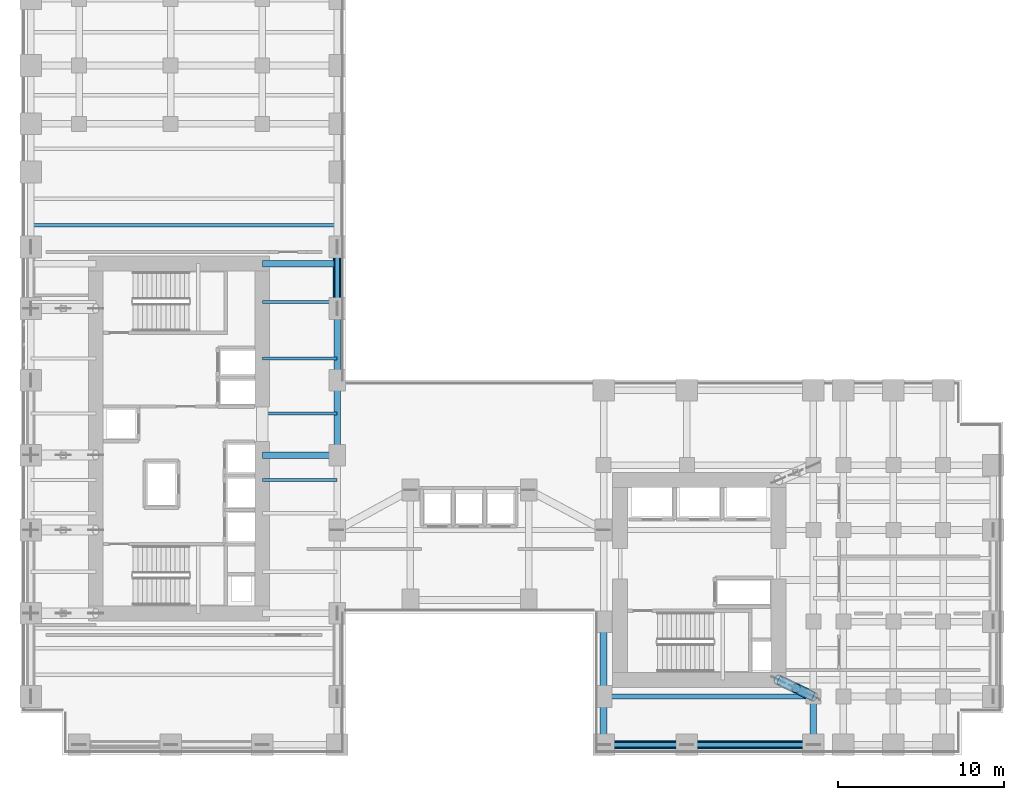
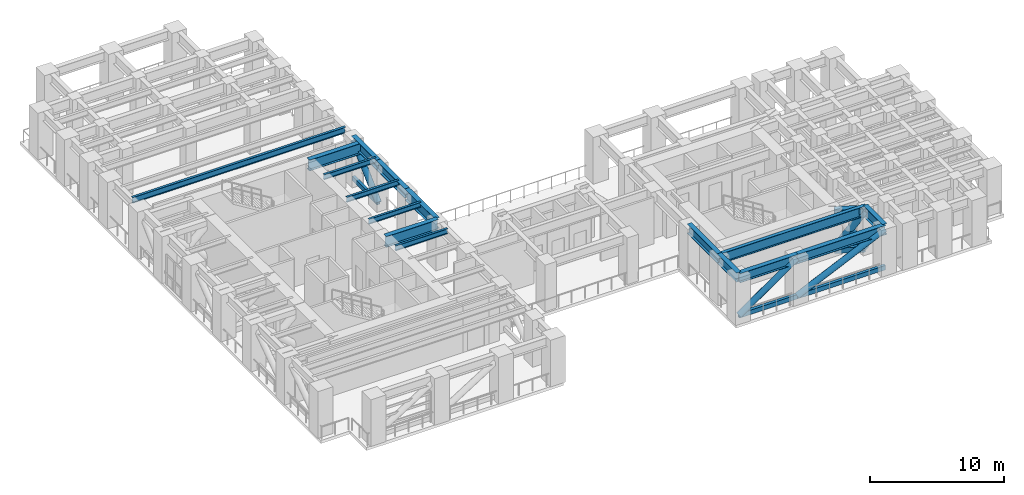
# One storey, part 5 of 16: 16 beams, 10 members.
"""IFC4 building model written with IfcOpenShell, lengths in metres."""

from ifc_helpers import new_model, si_unit, direction, frame, origin, origin_2d, place, context, subcontext, project, spatial, hollow_rectangle, hollow_circle, i_section, extrude, source, transform, mapped, material, material_profile, profile_set, type_object, element, save


model = new_model("IFC4")

# Units and contexts
model_context = context("Model", 3, precision=1e-05, world=origin(), true_north=direction((0.0, 1.0)))
body_context = subcontext(model_context, "Body", "Model", "MODEL_VIEW")
ifc_project = project(units=[si_unit("LENGTHUNIT", "METRE"), si_unit("AREAUNIT", "SQUARE_METRE"), si_unit("VOLUMEUNIT", "CUBIC_METRE"), si_unit("PLANEANGLEUNIT", "RADIAN"), si_unit("MASSUNIT", "GRAM", prefix="KILO")], contexts=[model_context])

# Site, building, storey
site_placement = place(None, origin())
site = spatial("IfcSite", under=ifc_project, at=site_placement, CompositionType="ELEMENT")
building_placement = place(site_placement, origin())
building = spatial("IfcBuilding", under=site, at=building_placement, Name="Kharzan Plaza Tower", CompositionType="ELEMENT")
storey_placement = place(building_placement, frame((0.0, 0.0, 72.89990234375)))
storey = spatial("IfcBuildingStorey", under=building, at=storey_placement, Name="L19", CompositionType="ELEMENT", Elevation=72.89990234375)

# Beams
ifc_material = material(Name="Steel S355", Category="steel")
ifc_material_profile_1 = material_profile(ifc_material, i_section(OverallWidth=0.304931640625, OverallDepth=0.9189453125, WebThickness=0.017333984375, FlangeThickness=0.02783203125, at=origin_2d()), Name="W920x253")
ifc_profile_set_1 = profile_set([ifc_material_profile_1], Name="Steel S355")
beam_type_1 = type_object("IfcBeamType", Name="BM-FG920B", PredefinedType="BEAM", material=ifc_profile_set_1)
shared_shape_1 = source(origin(), body_context, "Body", "SweptSolid", [
    extrude(i_section(OverallWidth=0.304931640625, OverallDepth=0.9189453125, WebThickness=0.017333984375, FlangeThickness=0.02783203125, at=origin_2d()), origin(), (0.0, 0.0, 1.0), 12.60009765625),
])
beam_1_placement = place(storey_placement, frame((35.0, 3.5, 3.800537109375), z_axis=(1.0, 0.0, 0.0), x_axis=(0.0, 1.0, 0.0)))
element("IfcBeam", 1, at=beam_1_placement, inside=storey, type_object=beam_type_1, Name="L19 Primary Floor Girder", PredefinedType="BEAM", context=body_context, shape_type="MappedRepresentation", body=[
    mapped(shared_shape_1, transform((0.0, 0.0, 0.0), x_axis=(1.0, 0.0, 0.0), y_axis=(0.0, 1.0, 0.0), z_axis=(0.0, 0.0, 1.0))),
])
ifc_material_profile_2 = material_profile(ifc_material, i_section(OverallWidth=0.2099609375, OverallDepth=0.537109375, WebThickness=0.010986328125, FlangeThickness=0.017333984375, at=origin_2d()), Name="W530x101")
ifc_profile_set_2 = profile_set([ifc_material_profile_2], Name="Steel S355")
beam_type_2 = type_object("IfcBeamType", Name="BM-JST530B", PredefinedType="JOIST", material=ifc_profile_set_2)
shared_shape_2 = source(origin(), body_context, "Body", "SweptSolid", [
    extrude(i_section(OverallWidth=0.2099609375, OverallDepth=0.537109375, WebThickness=0.010986328125, FlangeThickness=0.017333984375, at=origin_2d()), origin(), (0.0, 0.0, 1.0), 18.39990234375),
])
beam_2_placement = place(storey_placement, frame((0.60009765625, 31.800048828125, 3.99169921875), z_axis=(1.0, 0.0, 0.0), x_axis=(0.0, 1.0, 0.0)))
element("IfcBeam", 2, at=beam_2_placement, inside=storey, type_object=beam_type_2, Name="L19 Wing A Composite Joist 04", PredefinedType="JOIST", context=body_context, shape_type="MappedRepresentation", body=[
    mapped(shared_shape_2, transform((0.0, 0.0, 0.0), x_axis=(1.0, 0.0, 0.0), y_axis=(0.0, 1.0, 0.0), z_axis=(0.0, 0.0, 1.0))),
])
ifc_material_profile_3 = material_profile(ifc_material, i_section(OverallWidth=0.194091796875, OverallDepth=0.468994140625, WebThickness=0.011474609375, FlangeThickness=0.0205078125, at=origin_2d()), Name="W460x106")
ifc_profile_set_3 = profile_set([ifc_material_profile_3], Name="Steel S355")
beam_type_3 = type_object("IfcBeamType", Name="BM-JST460", PredefinedType="JOIST", material=ifc_profile_set_3)
shared_shape_3 = source(origin(), body_context, "Body", "SweptSolid", [
    extrude(i_section(OverallWidth=0.194091796875, OverallDepth=0.468994140625, WebThickness=0.011474609375, FlangeThickness=0.0205078125, at=origin_2d()), origin(), (0.0, 0.0, 1.0), 4.5),
])
for number, where, z_axis, x_axis, name in (
    (3, (14.5, 16.5, 4.025634765625), (1.0, 0.0, 0.0), (0.0, 1.0, 0.0), "L19 Wing A East Infill Joist 3"),
    (4, (14.5, 20.5, 4.025634765625), (1.0, 0.0, 0.0), (0.0, 1.0, 0.0), "L19 Wing A East Infill Joist 4"),
    (5, (14.5, 23.800048828125, 4.025634765625), (1.0, 0.0, 0.0), (0.0, 1.0, 0.0), "L19 Wing A East Infill Joist 5"),
    (6, (14.5, 27.199951171875, 4.025634765625), (1.0, 0.0, 0.0), (0.0, 1.0, 0.0), "L19 Wing A East Infill Joist 6"),
):
    element("IfcBeam", number, at=place(storey_placement, frame(where, z_axis=z_axis, x_axis=x_axis)), inside=storey, type_object=beam_type_3, Name=name, PredefinedType="JOIST", context=body_context, shape_type="MappedRepresentation", body=[
        mapped(shared_shape_3, transform((0.0, 0.0, 0.0), x_axis=(1.0, 0.0, 0.0), y_axis=(0.0, 1.0, 0.0), z_axis=(0.0, 0.0, 1.0))),
    ])
ifc_material_profile_4 = material_profile(ifc_material, i_section(OverallWidth=0.40087890625, OverallDepth=0.85498046875, WebThickness=0.018310546875, FlangeThickness=0.029296875, at=origin_2d()), Name="W840x299")
ifc_profile_set_4 = profile_set([ifc_material_profile_4], Name="Steel S355")
beam_type_4 = type_object("IfcBeamType", Name="BM-SP840A", PredefinedType="SPANDREL", material=ifc_profile_set_4)
shared_shape_4 = source(origin(), body_context, "Body", "SweptSolid", [
    extrude(i_section(OverallWidth=0.40087890625, OverallDepth=0.85498046875, WebThickness=0.018310546875, FlangeThickness=0.029296875, at=origin_2d()), origin(), (0.0, 0.0, 1.0), 5.0),
])
beam_3_placement = place(storey_placement, frame((35.0, 0.60009765625, 3.83251953125), z_axis=(1.0, 0.0, 0.0), x_axis=(0.0, 1.0, 0.0)))
element("IfcBeam", 7, at=beam_3_placement, inside=storey, type_object=beam_type_4, Name="L19 Perimeter Tube Spandrel", PredefinedType="SPANDREL", context=body_context, shape_type="MappedRepresentation", body=[
    mapped(shared_shape_4, transform((0.0, 0.0, 0.0), x_axis=(1.0, 0.0, 0.0), y_axis=(0.0, 1.0, 0.0), z_axis=(0.0, 0.0, 1.0))),
])
shared_shape_5 = source(origin(), body_context, "Body", "SweptSolid", [
    extrude(i_section(OverallWidth=0.40087890625, OverallDepth=0.85498046875, WebThickness=0.018310546875, FlangeThickness=0.029296875, at=origin_2d()), origin(), (0.0, 0.0, 1.0), 4.5),
])
beam_4_placement = place(storey_placement, frame((35.0, 3.5, 3.83251953125), z_axis=(0.0, 1.0, 0.0), x_axis=(-1.0, 0.0, 0.0)))
element("IfcBeam", 8, at=beam_4_placement, inside=storey, type_object=beam_type_4, Name="L19 Perimeter Tube Spandrel", PredefinedType="SPANDREL", context=body_context, shape_type="MappedRepresentation", body=[
    mapped(shared_shape_5, transform((0.0, 0.0, 0.0), x_axis=(1.0, 0.0, 0.0), y_axis=(0.0, 1.0, 0.0), z_axis=(0.0, 0.0, 1.0))),
])
shared_shape_6 = source(origin(), body_context, "Body", "SweptSolid", [
    extrude(i_section(OverallWidth=0.40087890625, OverallDepth=0.85498046875, WebThickness=0.018310546875, FlangeThickness=0.029296875, at=origin_2d()), origin(), (0.0, 0.0, 1.0), 4.300048828125),
])
beam_5_placement = place(storey_placement, frame((19.0, 22.5, 3.83251953125), z_axis=(0.0, 1.0, 0.0), x_axis=(-1.0, 0.0, 0.0)))
element("IfcBeam", 9, at=beam_5_placement, inside=storey, type_object=beam_type_4, Name="L19 Perimeter Tube Spandrel", PredefinedType="SPANDREL", context=body_context, shape_type="MappedRepresentation", body=[
    mapped(shared_shape_6, transform((0.0, 0.0, 0.0), x_axis=(1.0, 0.0, 0.0), y_axis=(0.0, 1.0, 0.0), z_axis=(0.0, 0.0, 1.0))),
])
shared_shape_7 = source(origin(), body_context, "Body", "SweptSolid", [
    extrude(i_section(OverallWidth=0.40087890625, OverallDepth=0.85498046875, WebThickness=0.018310546875, FlangeThickness=0.029296875, at=origin_2d()), origin(), (0.0, 0.0, 1.0), 3.699951171875),
])
beam_6_placement = place(storey_placement, frame((19.0, 26.800048828125, 3.83251953125), z_axis=(0.0, 1.0, 0.0), x_axis=(-1.0, 0.0, 0.0)))
element("IfcBeam", 10, at=beam_6_placement, inside=storey, type_object=beam_type_4, Name="L19 Perimeter Tube Spandrel", PredefinedType="SPANDREL", context=body_context, shape_type="MappedRepresentation", body=[
    mapped(shared_shape_7, transform((0.0, 0.0, 0.0), x_axis=(1.0, 0.0, 0.0), y_axis=(0.0, 1.0, 0.0), z_axis=(0.0, 0.0, 1.0))),
])
shared_shape_8 = source(origin(), body_context, "Body", "SweptSolid", [
    extrude(i_section(OverallWidth=0.40087890625, OverallDepth=0.85498046875, WebThickness=0.018310546875, FlangeThickness=0.029296875, at=origin_2d()), origin(), (0.0, 0.0, 1.0), 2.89990234375),
])
beam_7_placement = place(storey_placement, frame((35.0, 0.60009765625, 3.83251953125), z_axis=(0.0, 1.0, 0.0), x_axis=(-1.0, 0.0, 0.0)))
element("IfcBeam", 11, at=beam_7_placement, inside=storey, type_object=beam_type_4, Name="L19 Perimeter Tube Spandrel", PredefinedType="SPANDREL", context=body_context, shape_type="MappedRepresentation", body=[
    mapped(shared_shape_8, transform((0.0, 0.0, 0.0), x_axis=(1.0, 0.0, 0.0), y_axis=(0.0, 1.0, 0.0), z_axis=(0.0, 0.0, 1.0))),
])
shared_shape_9 = source(origin(), body_context, "Body", "SweptSolid", [
    extrude(i_section(OverallWidth=0.40087890625, OverallDepth=0.85498046875, WebThickness=0.018310546875, FlangeThickness=0.029296875, at=origin_2d()), origin(), (0.0, 0.0, 1.0), 7.60009765625),
])
beam_8_placement = place(storey_placement, frame((40.0, 0.60009765625, 3.83251953125), z_axis=(1.0, 0.0, 0.0), x_axis=(0.0, 1.0, 0.0)))
element("IfcBeam", 12, at=beam_8_placement, inside=storey, type_object=beam_type_4, Name="L19 Perimeter Tube Spandrel", PredefinedType="SPANDREL", context=body_context, shape_type="MappedRepresentation", body=[
    mapped(shared_shape_9, transform((0.0, 0.0, 0.0), x_axis=(1.0, 0.0, 0.0), y_axis=(0.0, 1.0, 0.0), z_axis=(0.0, 0.0, 1.0))),
])
ifc_material_profile_5 = material_profile(ifc_material, i_section(OverallWidth=0.39794921875, OverallDepth=1.0, WebThickness=0.017578125, FlangeThickness=0.02880859375, at=origin_2d()), Name="W1000x321")
ifc_profile_set_5 = profile_set([ifc_material_profile_5], Name="Steel S355")
beam_type_5 = type_object("IfcBeamType", Name="BM-PG1000B", PredefinedType="BEAM", material=ifc_profile_set_5)
shared_shape_10 = source(origin(), body_context, "Body", "SweptSolid", [
    extrude(i_section(OverallWidth=0.39794921875, OverallDepth=1.0, WebThickness=0.017578125, FlangeThickness=0.02880859375, at=origin_2d()), origin(), (0.0, 0.0, 1.0), 4.5),
])
for number, where, z_axis, x_axis, name in (
    (13, (14.5, 18.0, 3.760009765625), (1.0, 0.0, 0.0), (0.0, 1.0, 0.0), "L19 Core-A East Floor Girder 2"),
    (14, (14.5, 29.5, 3.760009765625), (1.0, 0.0, 0.0), (0.0, 1.0, 0.0), "L19 Core-A East Floor Girder 3"),
    (15, (19.0, 18.0, 3.760009765625), (0.0, 1.0, 0.0), (-1.0, 0.0, 0.0), "L19 Interior Frame Girder"),
):
    element("IfcBeam", number, at=place(storey_placement, frame(where, z_axis=z_axis, x_axis=x_axis)), inside=storey, type_object=beam_type_5, Name=name, PredefinedType="BEAM", context=body_context, shape_type="MappedRepresentation", body=[
        mapped(shared_shape_10, transform((0.0, 0.0, 0.0), x_axis=(1.0, 0.0, 0.0), y_axis=(0.0, 1.0, 0.0), z_axis=(0.0, 0.0, 1.0))),
    ])
shared_shape_11 = source(origin(), body_context, "Body", "SweptSolid", [
    extrude(i_section(OverallWidth=0.39794921875, OverallDepth=1.0, WebThickness=0.017578125, FlangeThickness=0.02880859375, at=origin_2d()), origin(), (0.0, 0.0, 1.0), 2.89990234375),
])
beam_9_placement = place(storey_placement, frame((47.60009765625, 0.60009765625, 3.760009765625), z_axis=(0.0, 1.0, 0.0), x_axis=(-1.0, 0.0, 0.0)))
element("IfcBeam", 16, at=beam_9_placement, inside=storey, type_object=beam_type_5, Name="L19 Interior Frame Girder", PredefinedType="BEAM", context=body_context, shape_type="MappedRepresentation", body=[
    mapped(shared_shape_11, transform((0.0, 0.0, 0.0), x_axis=(1.0, 0.0, 0.0), y_axis=(0.0, 1.0, 0.0), z_axis=(0.0, 0.0, 1.0))),
])

# Members
ifc_material_profile_6 = material_profile(ifc_material, hollow_rectangle(XDim=0.25, YDim=0.39990234375, WallThickness=0.01611328125, at=origin_2d()), Name="RHS400x250x16")
ifc_profile_set_6 = profile_set([ifc_material_profile_6], Name="Steel S355")
member_type_1 = type_object("IfcMemberType", Name="MEM-BT-CHORD", PredefinedType="CHORD", material=ifc_profile_set_6)
shared_shape_12 = source(origin(), body_context, "Body", "SweptSolid", [
    extrude(hollow_rectangle(XDim=0.25, YDim=0.39990234375, WallThickness=0.01611328125, at=origin_2d()), origin(), (0.0, 0.0, 1.0), 5.0),
])
member_1_placement = place(storey_placement, frame((35.0, 0.60009765625, 0.35009765625), z_axis=(1.0, 0.0, 0.0), x_axis=(0.0, 1.0, 0.0)))
element("IfcMember", 17, at=member_1_placement, inside=storey, type_object=member_type_1, Name="L19 Belt Truss Bottom Chord BTS-3", PredefinedType="CHORD", context=body_context, shape_type="MappedRepresentation", body=[
    mapped(shared_shape_12, transform((0.0, 0.0, 0.0), x_axis=(1.0, 0.0, 0.0), y_axis=(0.0, 1.0, 0.0), z_axis=(0.0, 0.0, 1.0))),
])
shared_shape_13 = source(origin(), body_context, "Body", "SweptSolid", [
    extrude(hollow_rectangle(XDim=0.25, YDim=0.39990234375, WallThickness=0.01611328125, at=origin_2d()), origin(), (0.0, 0.0, 1.0), 3.699951171875),
])
member_2_placement = place(storey_placement, frame((19.0, 26.800048828125, 0.35009765625), z_axis=(0.0, 1.0, 0.0), x_axis=(-1.0, 0.0, 0.0)))
element("IfcMember", 18, at=member_2_placement, inside=storey, type_object=member_type_1, Name="L19 Belt Truss Bottom Chord BTA-2", PredefinedType="CHORD", context=body_context, shape_type="MappedRepresentation", body=[
    mapped(shared_shape_13, transform((0.0, 0.0, 0.0), x_axis=(1.0, 0.0, 0.0), y_axis=(0.0, 1.0, 0.0), z_axis=(0.0, 0.0, 1.0))),
])
shared_shape_14 = source(origin(), body_context, "Body", "SweptSolid", [
    extrude(hollow_rectangle(XDim=0.25, YDim=0.39990234375, WallThickness=0.01611328125, at=origin_2d()), origin(), (0.0, 0.0, 1.0), 7.60009765625),
])
member_3_placement = place(storey_placement, frame((40.0, 0.60009765625, 0.35009765625), z_axis=(1.0, 0.0, 0.0), x_axis=(0.0, 1.0, 0.0)))
element("IfcMember", 19, at=member_3_placement, inside=storey, type_object=member_type_1, Name="L19 Belt Truss Bottom Chord BTS-4", PredefinedType="CHORD", context=body_context, shape_type="MappedRepresentation", body=[
    mapped(shared_shape_14, transform((0.0, 0.0, 0.0), x_axis=(1.0, 0.0, 0.0), y_axis=(0.0, 1.0, 0.0), z_axis=(0.0, 0.0, 1.0))),
])
ifc_material_profile_7 = material_profile(ifc_material, hollow_circle(Radius=0.25390625, WallThickness=0.02001953125, at=origin_2d()), Name="CHS508x20")
ifc_profile_set_7 = profile_set([ifc_material_profile_7], Name="Steel S355")
member_type_2 = type_object("IfcMemberType", Name="MEM-BT-DIAG", PredefinedType="BRACE", material=ifc_profile_set_7)
shared_shape_15 = source(origin(), body_context, "Body", "SweptSolid", [
    extrude(hollow_circle(Radius=0.25390625, WallThickness=0.02001953125, at=origin_2d()), origin(), (0.0, 0.0, 1.0), 6.080322265625),
])
member_4_placement = place(storey_placement, frame((35.0, 0.60009765625, 0.35009765625), z_axis=(0.822313592679, 0.0, 0.569034581809), x_axis=(0.0, 1.0, 0.0)))
element("IfcMember", 20, at=member_4_placement, inside=storey, type_object=member_type_2, Name="L19 Belt Truss Diagonal BTS-3", PredefinedType="BRACE", context=body_context, shape_type="MappedRepresentation", body=[
    mapped(shared_shape_15, transform((0.0, 0.0, 0.0), x_axis=(1.0, 0.0, 0.0), y_axis=(0.0, 1.0, 0.0), z_axis=(0.0, 0.0, 1.0))),
])
shared_shape_16 = source(origin(), body_context, "Body", "SweptSolid", [
    extrude(hollow_circle(Radius=0.25390625, WallThickness=0.02001953125, at=origin_2d()), origin(), (0.0, 0.0, 1.0), 5.065673828125),
])
member_5_placement = place(storey_placement, frame((19.0, 26.800048828125, 0.35009765625), z_axis=(0.0, 0.730397826417, 0.683021972681), x_axis=(-1.0, 0.0, 0.0)))
element("IfcMember", 21, at=member_5_placement, inside=storey, type_object=member_type_2, Name="L19 Belt Truss Diagonal BTA-2", PredefinedType="BRACE", context=body_context, shape_type="MappedRepresentation", body=[
    mapped(shared_shape_16, transform((0.0, 0.0, 0.0), x_axis=(1.0, 0.0, 0.0), y_axis=(0.0, 1.0, 0.0), z_axis=(0.0, 0.0, 1.0))),
])
shared_shape_17 = source(origin(), body_context, "Body", "SweptSolid", [
    extrude(hollow_circle(Radius=0.25390625, WallThickness=0.02001953125, at=origin_2d()), origin(), (0.0, 0.0, 1.0), 8.3505859375),
])
member_6_placement = place(storey_placement, frame((40.0, 0.60009765625, 0.35009765625), z_axis=(0.910124021086, 0.0, 0.414335934046), x_axis=(0.0, 1.0, 0.0)))
element("IfcMember", 22, at=member_6_placement, inside=storey, type_object=member_type_2, Name="L19 Belt Truss Diagonal BTS-4", PredefinedType="BRACE", context=body_context, shape_type="MappedRepresentation", body=[
    mapped(shared_shape_17, transform((0.0, 0.0, 0.0), x_axis=(1.0, 0.0, 0.0), y_axis=(0.0, 1.0, 0.0), z_axis=(0.0, 0.0, 1.0))),
])
ifc_material_profile_8 = material_profile(ifc_material, hollow_rectangle(XDim=0.5, YDim=0.5, WallThickness=0.02490234375, at=origin_2d()), Name="SHS500x500x25")
ifc_profile_set_8 = profile_set([ifc_material_profile_8], Name="Steel S355")
member_type_3 = type_object("IfcMemberType", Name="MEM-OT-CHORD", PredefinedType="CHORD", material=ifc_profile_set_8)
shared_shape_18 = source(origin(), body_context, "Body", "SweptSolid", [
    extrude(hollow_rectangle(XDim=0.5, YDim=0.5, WallThickness=0.02490234375, at=origin_2d()), origin(), (0.0, 0.0, 1.0), 2.325927734375),
])
for number, where, z_axis, x_axis, name in (
    (23, (45.5, 4.5, 0.35009765625), (0.902868279141, -0.429917283348, 0.0), (0.429917283348, 0.902868279141, 0.0), "L19 Outrigger Truss Bottom Chord OTB-E1"),
    (24, (45.5, 4.5, 3.81005859375), (0.902868279141, -0.429917283348, 0.0), (0.429917283348, 0.902868279141, 0.0), "L19 Outrigger Truss Top Chord OTB-E1"),
):
    element("IfcMember", number, at=place(storey_placement, frame(where, z_axis=z_axis, x_axis=x_axis)), inside=storey, type_object=member_type_3, Name=name, PredefinedType="CHORD", context=body_context, shape_type="MappedRepresentation", body=[
        mapped(shared_shape_18, transform((0.0, 0.0, 0.0), x_axis=(1.0, 0.0, 0.0), y_axis=(0.0, 1.0, 0.0), z_axis=(0.0, 0.0, 1.0))),
    ])
ifc_material_profile_9 = material_profile(ifc_material, hollow_circle(Radius=0.304931640625, WallThickness=0.02490234375, at=origin_2d()), Name="CHS610x25")
ifc_profile_set_9 = profile_set([ifc_material_profile_9], Name="Steel S355")
member_type_4 = type_object("IfcMemberType", Name="MEM-OT-DIAG", PredefinedType="BRACE", material=ifc_profile_set_9)
shared_shape_19 = source(origin(), body_context, "Body", "SweptSolid", [
    extrude(hollow_circle(Radius=0.304931640625, WallThickness=0.02490234375, at=origin_2d()), origin(), (0.0, 0.0, 1.0), 4.169189453125),
])
member_7_placement = place(storey_placement, frame((45.5, 4.5, 0.35009765625), z_axis=(0.503724259824, -0.239857541065, 0.829897722649), x_axis=(0.429917283348, 0.902868279141, 0.0)))
element("IfcMember", 25, at=member_7_placement, inside=storey, type_object=member_type_4, Name="L19 Outrigger Truss Diagonal OTB-E1-1", PredefinedType="BRACE", context=body_context, shape_type="MappedRepresentation", body=[
    mapped(shared_shape_19, transform((0.0, 0.0, 0.0), x_axis=(1.0, 0.0, 0.0), y_axis=(0.0, 1.0, 0.0), z_axis=(0.0, 0.0, 1.0))),
])
shared_shape_20 = source(origin(), body_context, "Body", "SweptSolid", [
    extrude(hollow_circle(Radius=0.304931640625, WallThickness=0.02490234375, at=origin_2d()), origin(), (0.0, 0.0, 1.0), 2.08447265625),
])
member_8_placement = place(storey_placement, frame((46.550048828125, 4.0, 2.080078125), z_axis=(0.503724259824, -0.239857541065, -0.829897722649), x_axis=(0.429917283348, 0.902868279141, 0.0)))
element("IfcMember", 26, at=member_8_placement, inside=storey, type_object=member_type_4, Name="L19 Outrigger Truss Split Diagonal OTB-E1-2B", PredefinedType="BRACE", context=body_context, shape_type="MappedRepresentation", body=[
    mapped(shared_shape_20, transform((0.0, 0.0, 0.0), x_axis=(1.0, 0.0, 0.0), y_axis=(0.0, 1.0, 0.0), z_axis=(0.0, 0.0, 1.0))),
])

save(model, "model.ifc")
